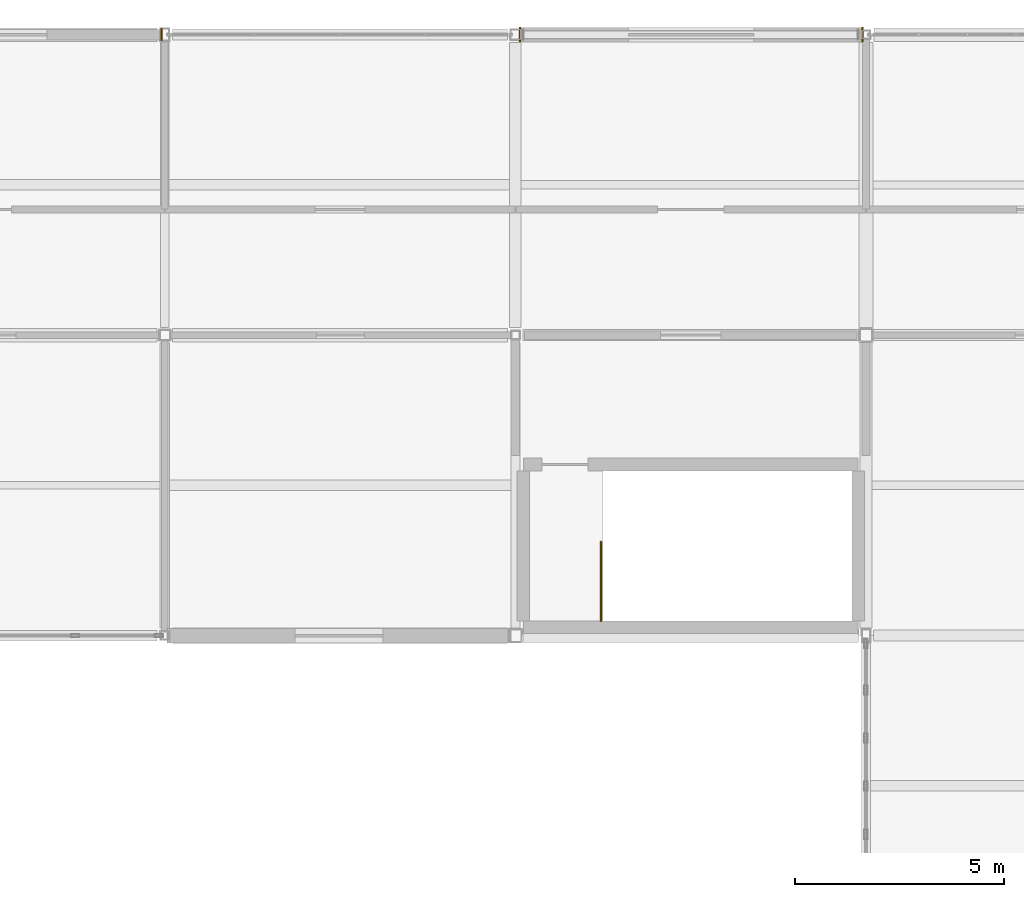
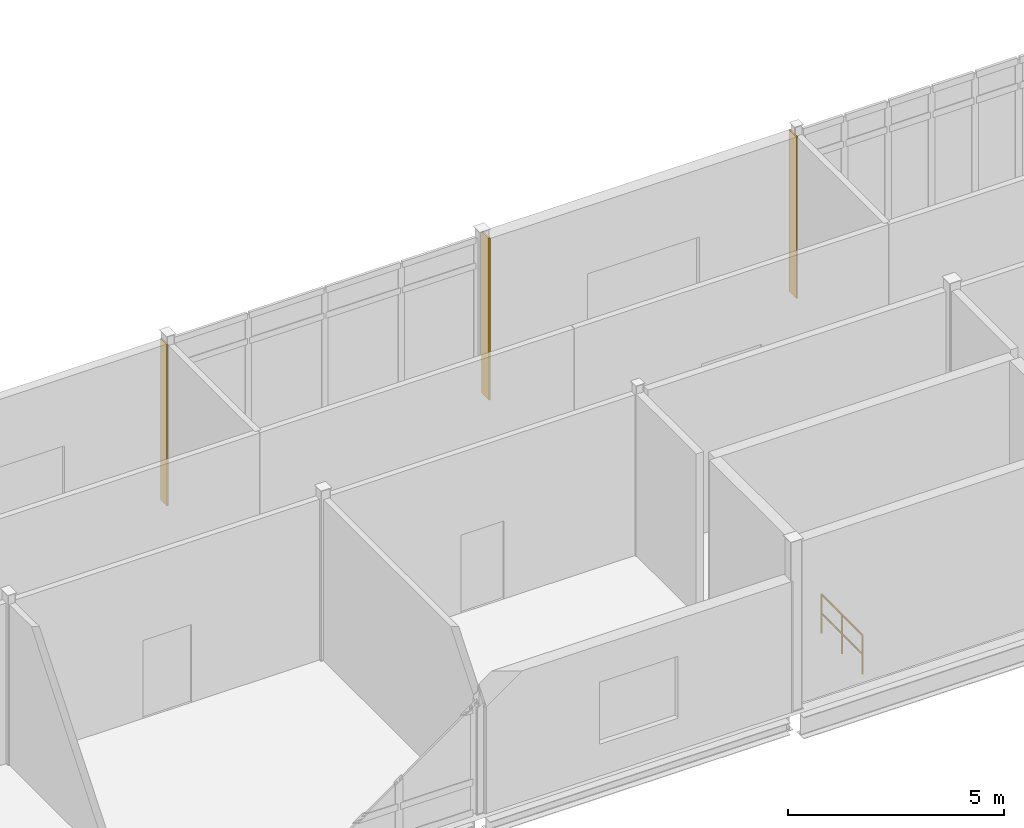
# One storey, part 149 of 153: 3 coverings, 1 railing.
"""IFC4 building model written with IfcOpenShell, lengths in metres."""

from ifc_helpers import new_model, si_unit, direction, frame, origin, origin_2d, place, context, subcontext, project, spatial, polyline, circle, outline, extrude, material, layer, layer_set, type_object, element, save


model = new_model("IFC4")

# Units and contexts
model_context = context("Model", 3, precision=1e-05, world=origin(), true_north=direction((0.0, 1.0)))
body_context = subcontext(model_context, "Body", "Model", "MODEL_VIEW")
ifc_project = project(units=[si_unit("LENGTHUNIT", "METRE"), si_unit("AREAUNIT", "SQUARE_METRE"), si_unit("VOLUMEUNIT", "CUBIC_METRE"), si_unit("PLANEANGLEUNIT", "RADIAN"), si_unit("MASSUNIT", "GRAM", prefix="KILO")], contexts=[model_context])

# Site, building, storey
site_placement = place(None, origin())
site = spatial("IfcSite", under=ifc_project, at=site_placement, CompositionType="ELEMENT")
building_placement = place(site_placement, origin())
building = spatial("IfcBuilding", under=site, at=building_placement, Name="Calvrana Isthmian Art Gallery", CompositionType="ELEMENT")
storey_placement = place(building_placement, frame((0.0, 0.0, 10.199951171875)))
storey = spatial("IfcBuildingStorey", under=building, at=storey_placement, Name="L02", CompositionType="ELEMENT", Elevation=10.199951171875)

# Coverings
ifc_material_1 = material(Name="Polychrome glazed terracotta", Category="masonry")
ifc_layer = layer(ifc_material_1, 0.0400390625, Name="Polychrome glazed terracotta")
ifc_layer_set = layer_set([ifc_layer], Name="Polychrome glazed terracotta")
covering_type = type_object("IfcCoveringType", Name="COV-CLAD-TERRA", PredefinedType="CLADDING", material=ifc_layer_set)
covering_1_placement = place(storey_placement, origin())
element("IfcCovering", 1, at=covering_1_placement, inside=storey, type_object=covering_type, Name="Column pocket weather closure L02-04-15-E", PredefinedType="CLADDING", context=body_context, shape_type="SweptSolid", body=[
    extrude(outline(polyline([(38.29833984375, 112.652587890625), (38.33837890625, 112.652587890625), (38.33837890625, 112.947509765625), (38.29833984375, 112.947509765625), (38.29833984375, 112.652587890625)])), origin(), (0.0, 0.0, 1.0), 4.56005859375),
])
covering_2_placement = place(storey_placement, origin())
element("IfcCovering", 2, at=covering_2_placement, inside=storey, type_object=covering_type, Name="Column pocket weather closure L02-06-15-W", PredefinedType="CLADDING", context=body_context, shape_type="SweptSolid", body=[
    extrude(outline(polyline([(46.886962890625, 112.625), (46.927001953125, 112.625), (46.927001953125, 112.97509765625), (46.886962890625, 112.97509765625), (46.886962890625, 112.625)])), origin(), (0.0, 0.0, 1.0), 4.56005859375),
])
covering_3_placement = place(storey_placement, origin())
element("IfcCovering", 3, at=covering_3_placement, inside=storey, type_object=covering_type, Name="Column pocket weather closure L02-06-15-E", PredefinedType="CLADDING", context=body_context, shape_type="SweptSolid", body=[
    extrude(outline(polyline([(55.098388671875, 112.625), (55.138427734375, 112.625), (55.138427734375, 112.97509765625), (55.098388671875, 112.97509765625), (55.098388671875, 112.625)])), origin(), (0.0, 0.0, 1.0), 4.56005859375),
])

# Railing
ifc_material_2 = material(Name="Stainless steel 316", Category="steel")
railing_type = type_object("IfcRailingType", Name="RL-GUARD-1120", PredefinedType="BALUSTRADE", material=ifc_material_2)
railing_placement = place(storey_placement, frame((48.85009765625, 98.75, 0.0)))
element("IfcRailing", 4, at=railing_placement, inside=storey, type_object=railing_type, Name="Stair ST-6 top well guard 1", PredefinedType="BALUSTRADE", context=body_context, shape_type="SweptSolid", body=[
    extrude(circle(Radius=0.02392578125, at=origin_2d()), frame((0.0, 0.0, 1.09619140625), z_axis=(0.0, 1.0, 0.0), x_axis=(-1.0, 0.0, 0.0)), (0.0, 0.0, 1.0), 1.89990234375),
    extrude(circle(Radius=0.02392578125, at=origin_2d()), frame((0.0, 0.0, 0.56005859375), z_axis=(0.0, 1.0, 0.0), x_axis=(-1.0, 0.0, 0.0)), (0.0, 0.0, 1.0), 1.89990234375),
    extrude(circle(Radius=0.02099609375, at=origin_2d()), origin(), (0.0, 0.0, 1.0), 1.072021484375),
    extrude(circle(Radius=0.02099609375, at=origin_2d()), frame((0.0, 0.949951171875, 0.0)), (0.0, 0.0, 1.0), 1.072021484375),
    extrude(circle(Radius=0.02099609375, at=origin_2d()), frame((0.0, 1.89990234375, 0.0)), (0.0, 0.0, 1.0), 1.072021484375),
])

save(model, "model.ifc")
